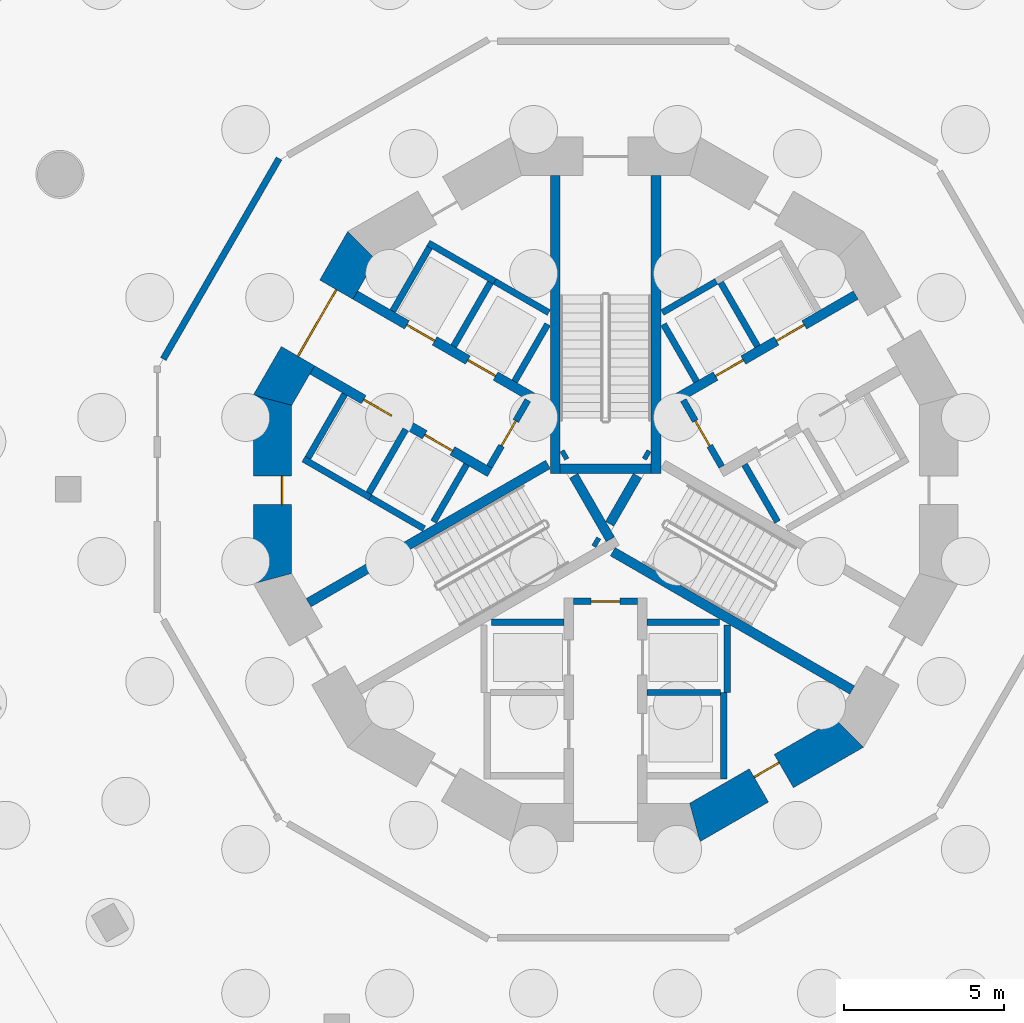
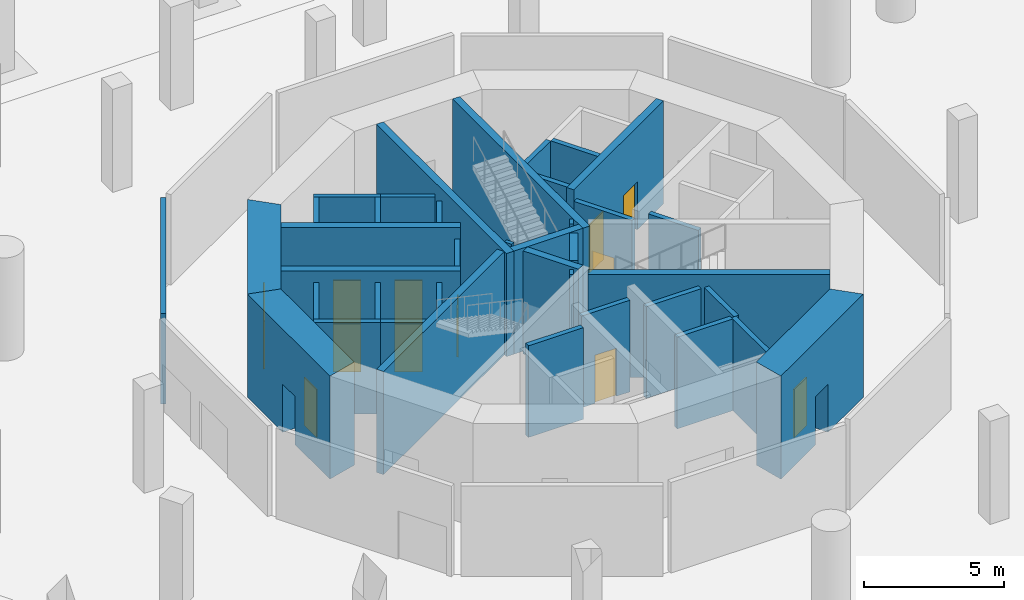
# One storey, part 8 of 23: 39 walls, 12 doors, 12 openings.
"""IFC4 building model written with IfcOpenShell, lengths in metres."""

from ifc_helpers import new_model, si_unit, direction, frame, frame_2d, origin, place, context, subcontext, project, spatial, polyline, rectangle, outline, extrude, material, layer, layer_set, type_object, element, fill, save


model = new_model("IFC4")

# Units and contexts
model_context = context("Model", 3, precision=1e-05, world=origin(), true_north=direction((0.0, 1.0)))
body_context = subcontext(model_context, "Body", "Model", "MODEL_VIEW")
ifc_project = project(units=[si_unit("LENGTHUNIT", "METRE"), si_unit("AREAUNIT", "SQUARE_METRE"), si_unit("VOLUMEUNIT", "CUBIC_METRE"), si_unit("PLANEANGLEUNIT", "RADIAN"), si_unit("MASSUNIT", "GRAM", prefix="KILO")], contexts=[model_context])

# Site, building, storey
site_placement = place(None, origin())
site = spatial("IfcSite", under=ifc_project, at=site_placement, CompositionType="ELEMENT")
building_placement = place(site_placement, origin())
building = spatial("IfcBuilding", under=site, at=building_placement, Name="Trine Commons Tower", CompositionType="ELEMENT")
storey_placement = place(building_placement, frame((0.0, 0.0, -9.0)))
storey = spatial("IfcBuildingStorey", under=building, at=storey_placement, Name="B2", CompositionType="ELEMENT", Elevation=-9.0)

# Wall
ifc_material_1 = material(Name="Plasterboard on steel stud", Category="steel")
ifc_layer_1 = layer(ifc_material_1, 0.199951171875)
ifc_layer_set_1 = layer_set([ifc_layer_1], Name="Plasterboard on steel stud")
wall_type_1 = type_object("IfcWallType", Name="Fire wall 200 mm, EI 120", PredefinedType="PARTITIONING", material=ifc_layer_set_1)
wall_1_placement = place(storey_placement, frame((66.175048828125, 66.57763671875, 0.0), z_axis=(0.0, 0.0, 1.0), x_axis=(0.499993116331, 0.866029378036, 0.0)))
element("IfcWall", 1, at=wall_1_placement, inside=storey, type_object=wall_type_1, Name="Partition B2016", PredefinedType="PARTITIONING", context=body_context, shape_type="SweptSolid", body=[
    extrude(rectangle(XDim=7.2353515625, YDim=0.199951171875, at=frame_2d((3.61767578125, 0.0))), origin(), (0.0, 0.0, 1.0), 3.949951171875),
])

# Wall, opening, door
ifc_material_2 = material(Name="Fire-rated gypsum shaft wall system")
ifc_layer_2 = layer(ifc_material_2, 0.199951171875)
ifc_layer_set_2 = layer_set([ifc_layer_2], Name="Fire-rated gypsum shaft wall system")
wall_type_2 = type_object("IfcWallType", Name="Lobby end wall 200 mm, EI 120", PredefinedType="PARTITIONING", material=ifc_layer_set_2)
wall_2_placement = place(storey_placement, frame((77.569091796875, 65.2890625, 0.0), z_axis=(0.0, 0.0, 1.0), x_axis=(-0.50012165622, -0.865955154139, 0.0)))
wall_2 = element("IfcWall", 2, at=wall_2_placement, inside=storey, type_object=wall_type_2, Name="Lobby end wall B2", PredefinedType="PARTITIONING", context=body_context, shape_type="SweptSolid", body=[
    extrude(rectangle(XDim=2.39990234375, YDim=0.199951171875, at=frame_2d((1.199951171875, 0.0))), origin(), (0.0, 0.0, 1.0), 4.0),
])
opening_1_placement = place(wall_2_placement, frame((0.749755859375, 0.0, 0.0)))
opening_1 = element("IfcOpeningElement", 3, at=opening_1_placement, cuts=wall_2, Name="Opening K01.07", PredefinedType="OPENING", context=body_context, shape_type="SweptSolid", body=[
    extrude(rectangle(XDim=0.89990234375, YDim=2.10009765625, at=frame_2d((0.449951171875, 1.050048828125))), frame((0.0, 0.10986328125, 0.0), z_axis=(0.0, -1.0, 0.0), x_axis=(1.0, 0.0, 0.0)), (0.0, 0.0, 1.0), 0.219970703125),
])
ifc_material_3 = material(Name="Steel door leaf, fire-rated", Category="steel")
door_type_1 = type_object("IfcDoorType", Name="Riser access door, single leaf 900 x 2100, FD60", OperationType="SINGLE_SWING_LEFT", PredefinedType="DOOR", material=ifc_material_3)
door_1_placement = place(opening_1_placement, frame((0.89990234375, 0.0, 0.0), z_axis=(0.0, 0.0, 1.0), x_axis=(-1.0, 0.0, 0.0)))
door_1 = element("IfcDoor", 4, at=door_1_placement, inside=storey, type_object=door_type_1, Name="Riser door, Mechanical riser B2", OperationType="SINGLE_SWING_RIGHT", OverallHeight=2.10009765625, OverallWidth=0.89990234375, PredefinedType="DOOR", context=body_context, shape_type="SweptSolid", body=[
    extrude(rectangle(XDim=0.89990234375, YDim=2.10009765625, at=frame_2d((0.449951171875, 1.050048828125))), frame((0.0, 0.02490234375, 0.0), z_axis=(0.0, -1.0, 0.0), x_axis=(1.0, 0.0, 0.0)), (0.0, 0.0, 1.0), 0.050048828125),
])
fill(opening_1, door_1)

wall_3_placement = place(storey_placement, frame((79.0, 59.0, 0.0), z_axis=(0.0, 0.0, 1.0), x_axis=(1.0, 0.0, 0.0)))
wall_3 = element("IfcWall", 5, at=wall_3_placement, inside=storey, type_object=wall_type_2, Name="Lobby end wall B2", PredefinedType="PARTITIONING", context=body_context, shape_type="SweptSolid", body=[
    extrude(rectangle(XDim=2.0, YDim=0.199951171875, at=frame_2d((1.0, 0.0))), origin(), (0.0, 0.0, 1.0), 4.0),
])
opening_2_placement = place(wall_3_placement, frame((0.550048828125, 0.0, 0.0)))
opening_2 = element("IfcOpeningElement", 6, at=opening_2_placement, cuts=wall_3, Name="Opening K01.09", PredefinedType="OPENING", context=body_context, shape_type="SweptSolid", body=[
    extrude(rectangle(XDim=0.89990234375, YDim=2.10009765625, at=frame_2d((0.449951171875, 1.050048828125))), frame((0.0, 0.10986328125, 0.0), z_axis=(0.0, -1.0, 0.0), x_axis=(1.0, 0.0, 0.0)), (0.0, 0.0, 1.0), 0.219970703125),
])
door_2_placement = place(opening_2_placement, frame((0.89990234375, 0.0, 0.0), z_axis=(0.0, 0.0, 1.0), x_axis=(-1.0, 0.0, 0.0)))
door_2 = element("IfcDoor", 7, at=door_2_placement, inside=storey, type_object=door_type_1, Name="Riser door, Communications riser B2", OperationType="SINGLE_SWING_RIGHT", OverallHeight=2.10009765625, OverallWidth=0.89990234375, PredefinedType="DOOR", context=body_context, shape_type="SweptSolid", body=[
    extrude(rectangle(XDim=0.89990234375, YDim=2.10009765625, at=frame_2d((0.449951171875, 1.050048828125))), frame((0.0, 0.02490234375, 0.0), z_axis=(0.0, -1.0, 0.0), x_axis=(1.0, 0.0, 0.0)), (0.0, 0.0, 1.0), 0.050048828125),
])
fill(opening_2, door_2)

wall_4_placement = place(storey_placement, frame((83.631103515625, 63.2109375, 0.0), z_axis=(0.0, 0.0, 1.0), x_axis=(-0.50012165622, 0.865955154139, 0.0)))
wall_4 = element("IfcWall", 8, at=wall_4_placement, inside=storey, type_object=wall_type_2, Name="Lobby end wall B2", PredefinedType="PARTITIONING", context=body_context, shape_type="SweptSolid", body=[
    extrude(rectangle(XDim=2.39990234375, YDim=0.199951171875, at=frame_2d((1.199951171875, 0.0))), origin(), (0.0, 0.0, 1.0), 4.0),
])
opening_3_placement = place(wall_4_placement, frame((0.749755859375, 0.0, 0.0)))
opening_3 = element("IfcOpeningElement", 9, at=opening_3_placement, cuts=wall_4, Name="Opening K01.05", PredefinedType="OPENING", context=body_context, shape_type="SweptSolid", body=[
    extrude(rectangle(XDim=0.89990234375, YDim=2.10009765625, at=frame_2d((0.449951171875, 1.050048828125))), frame((0.0, 0.10986328125, 0.0), z_axis=(0.0, -1.0, 0.0), x_axis=(1.0, 0.0, 0.0)), (0.0, 0.0, 1.0), 0.219970703125),
])
door_3_placement = place(opening_3_placement, frame((0.89990234375, 0.0, 0.0), z_axis=(0.0, 0.0, 1.0), x_axis=(-1.0, 0.0, 0.0)))
door_3 = element("IfcDoor", 10, at=door_3_placement, inside=storey, type_object=door_type_1, Name="Riser door, Electrical riser B2", OperationType="SINGLE_SWING_LEFT", OverallHeight=2.10009765625, OverallWidth=0.89990234375, PredefinedType="DOOR", context=body_context, shape_type="SweptSolid", body=[
    extrude(rectangle(XDim=0.89990234375, YDim=2.10009765625, at=frame_2d((0.449951171875, 1.050048828125))), frame((0.0, 0.02490234375, 0.0), z_axis=(0.0, -1.0, 0.0), x_axis=(1.0, 0.0, 0.0)), (0.0, 0.0, 1.0), 0.050048828125),
])
fill(opening_3, door_3)

ifc_material_4 = material(Name="Concrete C80/95", Category="concrete")
ifc_layer_3 = layer(ifc_material_4, 1.199951171875)
ifc_layer_set_3 = layer_set([ifc_layer_3], Name="Concrete C80/95")
wall_type_3 = type_object("IfcWallType", Name="RC shear wall 1200 mm, C80/95", PredefinedType="SHEAR", material=ifc_layer_set_3)
wall_5_placement = place(storey_placement, frame((72.45849609375, 70.260986328125, 0.0), z_axis=(0.0, 0.0, 1.0), x_axis=(-0.499979111662, -0.866037463336, 0.0)))
wall_5 = element("IfcWall", 11, at=wall_5_placement, inside=storey, type_object=wall_type_3, Name="Core wall CWA-06 B2", PredefinedType="SHEAR", context=body_context, shape_type="SweptSolid", body=[
    extrude(outline(polyline([(0.0, -0.60009765625), (5.901123046875, -0.60009765625), (5.57958984375, 0.60009765625), (0.321533203125, 0.60009765625), (0.0, -0.60009765625)])), origin(), (0.0, 0.0, 1.0), 4.5),
])
opening_4_placement = place(wall_5_placement, frame((1.75048828125, 0.0, 0.0)))
opening_4 = element("IfcOpeningElement", 12, at=opening_4_placement, cuts=wall_5, Name="Opening K01.06", PredefinedType="OPENING", context=body_context, shape_type="SweptSolid", body=[
    extrude(rectangle(XDim=2.39990234375, YDim=2.10009765625, at=frame_2d((1.199951171875, 1.050048828125))), frame((0.0, 0.60986328125, 0.0), z_axis=(0.0, -1.0, 0.0), x_axis=(1.0, 0.0, 0.0)), (0.0, 0.0, 1.0), 1.219970703125),
])
ifc_material_5 = material(Name="Steel door leaves, fire-rated", Category="steel")
door_type_2 = type_object("IfcDoorType", Name="Lobby door, double leaf 2400 x 2100, FD60", OperationType="DOUBLE_DOOR_SINGLE_SWING", PredefinedType="DOOR", material=ifc_material_5)
door_4_placement = place(opening_4_placement, origin())
door_4 = element("IfcDoor", 13, at=door_4_placement, inside=storey, type_object=door_type_2, Name="Lobby door, Passenger lift lobby B B2", OperationType="DOUBLE_DOOR_SINGLE_SWING", OverallHeight=2.10009765625, OverallWidth=2.39990234375, PredefinedType="DOOR", context=body_context, shape_type="SweptSolid", body=[
    extrude(rectangle(XDim=2.39990234375, YDim=2.10009765625, at=frame_2d((1.199951171875, 1.050048828125))), frame((0.0, 0.02490234375, 0.0), z_axis=(0.0, -1.0, 0.0), x_axis=(1.0, 0.0, 0.0)), (0.0, 0.0, 1.0), 0.050048828125),
])
fill(opening_4, door_4)

wall_6_placement = place(storey_placement, frame((69.58837890625, 65.450439453125, 0.0), z_axis=(0.0, 0.0, 1.0), x_axis=(0.0, -1.0, 0.0)))
wall_6 = element("IfcWall", 14, at=wall_6_placement, inside=storey, type_object=wall_type_3, Name="Core wall CWA-07 B2", PredefinedType="SHEAR", context=body_context, shape_type="SweptSolid", body=[
    extrude(outline(polyline([(0.0, -0.60009765625), (5.90087890625, -0.60009765625), (5.57958984375, 0.60009765625), (0.321533203125, 0.60009765625), (0.0, -0.60009765625)])), origin(), (0.0, 0.0, 1.0), 4.5),
])
opening_5_placement = place(wall_6_placement, frame((2.525390625, 0.0, 0.0)))
opening_5 = element("IfcOpeningElement", 15, at=opening_5_placement, cuts=wall_6, Name="Opening K01.13", PredefinedType="OPENING", context=body_context, shape_type="SweptSolid", body=[
    extrude(rectangle(XDim=0.89990234375, YDim=2.10009765625, at=frame_2d((0.449951171875, 1.050048828125))), frame((0.0, 0.60986328125, 0.0), z_axis=(0.0, -1.0, 0.0), x_axis=(1.0, 0.0, 0.0)), (0.0, 0.0, 1.0), 1.219970703125),
])
door_type_3 = type_object("IfcDoorType", Name="Core room door, single leaf 900 x 2100, FD30S", OperationType="SINGLE_SWING_LEFT", PredefinedType="DOOR", material=ifc_material_3)
door_5_placement = place(opening_5_placement, origin())
door_5 = element("IfcDoor", 16, at=door_5_placement, inside=storey, type_object=door_type_3, Name="Door to Store B2", OperationType="SINGLE_SWING_RIGHT", OverallHeight=2.10009765625, OverallWidth=0.89990234375, PredefinedType="DOOR", context=body_context, shape_type="SweptSolid", body=[
    extrude(rectangle(XDim=0.89990234375, YDim=2.10009765625, at=frame_2d((0.449951171875, 1.050048828125))), frame((0.0, 0.3251953125, 0.0), z_axis=(0.0, -1.0, 0.0), x_axis=(1.0, 0.0, 0.0)), (0.0, 0.0, 1.0), 0.050048828125),
])
fill(opening_5, door_5)

wall_7_placement = place(storey_placement, frame((82.650390625, 52.008056640625, 0.0), z_axis=(0.0, 0.0, 1.0), x_axis=(0.866037463336, 0.499979111662, 0.0)))
wall_7 = element("IfcWall", 17, at=wall_7_placement, inside=storey, type_object=wall_type_3, Name="Core wall CWA-11 B2", PredefinedType="SHEAR", context=body_context, shape_type="SweptSolid", body=[
    extrude(outline(polyline([(0.0, -0.60009765625), (5.901123046875, -0.60009765625), (5.57958984375, 0.60009765625), (0.321533203125, 0.60009765625), (0.0, -0.60009765625)])), origin(), (0.0, 0.0, 1.0), 4.5),
])
opening_6_placement = place(wall_7_placement, frame((2.474853515625, 0.0, 0.0)))
opening_6 = element("IfcOpeningElement", 18, at=opening_6_placement, cuts=wall_7, Name="Opening K01.15", PredefinedType="OPENING", context=body_context, shape_type="SweptSolid", body=[
    extrude(rectangle(XDim=0.89990234375, YDim=2.10009765625, at=frame_2d((0.449951171875, 1.050048828125))), frame((0.0, 0.60986328125, 0.0), z_axis=(0.0, -1.0, 0.0), x_axis=(1.0, 0.0, 0.0)), (0.0, 0.0, 1.0), 1.219970703125),
])
door_6_placement = place(opening_6_placement, origin())
door_6 = element("IfcDoor", 19, at=door_6_placement, inside=storey, type_object=door_type_3, Name="Door to Store B2", OperationType="SINGLE_SWING_LEFT", OverallHeight=2.10009765625, OverallWidth=0.89990234375, PredefinedType="DOOR", context=body_context, shape_type="SweptSolid", body=[
    extrude(rectangle(XDim=0.89990234375, YDim=2.10009765625, at=frame_2d((0.449951171875, 1.050048828125))), frame((0.0, 0.3251953125, 0.0), z_axis=(0.0, -1.0, 0.0), x_axis=(1.0, 0.0, 0.0)), (0.0, 0.0, 1.0), 0.050048828125),
])
fill(opening_6, door_6)

# Wall, openings, doors
ifc_layer_4 = layer(ifc_material_4, 0.300048828125)
ifc_layer_set_4 = layer_set([ifc_layer_4], Name="Concrete C80/95")
wall_type_4 = type_object("IfcWallType", Name="RC shear wall 300 mm, C80/95", PredefinedType="SHEAR", material=ifc_layer_set_4)
wall_8_placement = place(storey_placement, frame((76.381103515625, 63.031005859375, 0.0), z_axis=(0.0, 0.0, 1.0), x_axis=(-0.866032150378, 0.499988314375, 0.0)))
wall_8 = element("IfcWall", 20, at=wall_8_placement, inside=storey, type_object=wall_type_4, Name="Core wall SWA-01 B2", PredefinedType="SHEAR", context=body_context, shape_type="SweptSolid", body=[
    extrude(rectangle(XDim=6.412353515625, YDim=0.300048828125, at=frame_2d((3.2060546875, 0.0))), origin(), (0.0, 0.0, 1.0), 4.5),
])
opening_7_placement = place(wall_8_placement, frame((3.55029296875, 0.0, 0.0)))
opening_7 = element("IfcOpeningElement", 21, at=opening_7_placement, cuts=wall_8, Name="Opening LD3", PredefinedType="OPENING", context=body_context, shape_type="SweptSolid", body=[
    extrude(rectangle(XDim=1.0, YDim=2.10009765625, at=frame_2d((0.5, 1.050048828125))), frame((0.0, 0.159912109375, 0.0), z_axis=(0.0, -1.0, 0.0), x_axis=(1.0, 0.0, 0.0)), (0.0, 0.0, 1.0), 0.320068359375),
])
opening_8_placement = place(wall_8_placement, frame((1.350341796875, 0.0, 0.0)))
opening_8 = element("IfcOpeningElement", 22, at=opening_8_placement, cuts=wall_8, Name="Opening LD7", PredefinedType="OPENING", context=body_context, shape_type="SweptSolid", body=[
    extrude(rectangle(XDim=1.0, YDim=2.10009765625, at=frame_2d((0.5, 1.050048828125))), frame((0.0, 0.159912109375, 0.0), z_axis=(0.0, -1.0, 0.0), x_axis=(1.0, 0.0, 0.0)), (0.0, 0.0, 1.0), 0.320068359375),
])
ifc_material_6 = material(Name="Stainless steel sliding door leaves", Category="steel")
door_type_4 = type_object("IfcDoorType", Name="Lift landing door, centre-opening sliding 1000 x 2100, FD90", OperationType="DOUBLE_DOOR_SLIDING", PredefinedType="DOOR", material=ifc_material_6)
door_7_placement = place(opening_7_placement, origin())
door_7 = element("IfcDoor", 23, at=door_7_placement, inside=storey, type_object=door_type_4, Name="Lift landing door LR3 B2", OperationType="DOUBLE_DOOR_SLIDING", OverallHeight=2.10009765625, OverallWidth=1.0, PredefinedType="DOOR", context=body_context, shape_type="SweptSolid", body=[
    extrude(rectangle(XDim=1.0, YDim=2.10009765625, at=frame_2d((0.5, 1.050048828125))), frame((0.0, 0.02490234375, 0.0), z_axis=(0.0, -1.0, 0.0), x_axis=(1.0, 0.0, 0.0)), (0.0, 0.0, 1.0), 0.050048828125),
])
fill(opening_7, door_7)
door_8_placement = place(opening_8_placement, origin())
door_8 = element("IfcDoor", 24, at=door_8_placement, inside=storey, type_object=door_type_4, Name="Lift landing door HR3 B2", OperationType="DOUBLE_DOOR_SLIDING", OverallHeight=2.10009765625, OverallWidth=1.0, PredefinedType="DOOR", context=body_context, shape_type="SweptSolid", body=[
    extrude(rectangle(XDim=1.0, YDim=2.10009765625, at=frame_2d((0.5, 1.050048828125))), frame((0.0, 0.02490234375, 0.0), z_axis=(0.0, -1.0, 0.0), x_axis=(1.0, 0.0, 0.0)), (0.0, 0.0, 1.0), 0.050048828125),
])
fill(opening_8, door_8)

wall_9_placement = place(storey_placement, frame((77.73095703125, 65.368896484375, 0.0), z_axis=(0.0, 0.0, 1.0), x_axis=(-0.866022631842, 0.500004801114, 0.0)))
wall_9 = element("IfcWall", 25, at=wall_9_placement, inside=storey, type_object=wall_type_4, Name="Core wall SWA-02 B2", PredefinedType="SHEAR", context=body_context, shape_type="SweptSolid", body=[
    extrude(rectangle(XDim=6.412109375, YDim=0.300048828125, at=frame_2d((3.2060546875, 0.0))), origin(), (0.0, 0.0, 1.0), 4.5),
])
opening_9_placement = place(wall_9_placement, frame((3.55029296875, 0.0, 0.0)))
opening_9 = element("IfcOpeningElement", 26, at=opening_9_placement, cuts=wall_9, Name="Opening LD4", PredefinedType="OPENING", context=body_context, shape_type="SweptSolid", body=[
    extrude(rectangle(XDim=1.0, YDim=2.10009765625, at=frame_2d((0.5, 1.050048828125))), frame((0.0, 0.159912109375, 0.0), z_axis=(0.0, -1.0, 0.0), x_axis=(1.0, 0.0, 0.0)), (0.0, 0.0, 1.0), 0.320068359375),
])
opening_10_placement = place(wall_9_placement, frame((1.3505859375, 0.0, 0.0)))
opening_10 = element("IfcOpeningElement", 27, at=opening_10_placement, cuts=wall_9, Name="Opening LD8", PredefinedType="OPENING", context=body_context, shape_type="SweptSolid", body=[
    extrude(rectangle(XDim=1.0, YDim=2.10009765625, at=frame_2d((0.5, 1.050048828125))), frame((0.0, 0.159912109375, 0.0), z_axis=(0.0, -1.0, 0.0), x_axis=(1.0, 0.0, 0.0)), (0.0, 0.0, 1.0), 0.320068359375),
])
door_9_placement = place(opening_9_placement, origin())
door_9 = element("IfcDoor", 28, at=door_9_placement, inside=storey, type_object=door_type_4, Name="Lift landing door LR4 B2", OperationType="DOUBLE_DOOR_SLIDING", OverallHeight=2.10009765625, OverallWidth=1.0, PredefinedType="DOOR", context=body_context, shape_type="SweptSolid", body=[
    extrude(rectangle(XDim=1.0, YDim=2.10009765625, at=frame_2d((0.5, 1.050048828125))), frame((0.0, 0.02490234375, 0.0), z_axis=(0.0, -1.0, 0.0), x_axis=(1.0, 0.0, 0.0)), (0.0, 0.0, 1.0), 0.050048828125),
])
fill(opening_9, door_9)
door_10_placement = place(opening_10_placement, origin())
door_10 = element("IfcDoor", 29, at=door_10_placement, inside=storey, type_object=door_type_4, Name="Lift landing door HR4 B2", OperationType="DOUBLE_DOOR_SLIDING", OverallHeight=2.10009765625, OverallWidth=1.0, PredefinedType="DOOR", context=body_context, shape_type="SweptSolid", body=[
    extrude(rectangle(XDim=1.0, YDim=2.10009765625, at=frame_2d((0.5, 1.050048828125))), frame((0.0, 0.02490234375, 0.0), z_axis=(0.0, -1.0, 0.0), x_axis=(1.0, 0.0, 0.0)), (0.0, 0.0, 1.0), 0.050048828125),
])
fill(opening_10, door_10)

wall_10_placement = place(storey_placement, frame((82.26904296875, 65.368896484375, 0.0), z_axis=(0.0, 0.0, 1.0), x_axis=(0.866022631842, 0.500004801114, 0.0)))
wall_10 = element("IfcWall", 30, at=wall_10_placement, inside=storey, type_object=wall_type_4, Name="Core wall SWA-05 B2", PredefinedType="SHEAR", context=body_context, shape_type="SweptSolid", body=[
    extrude(rectangle(XDim=6.412109375, YDim=0.300048828125, at=frame_2d((3.2060546875, 0.0))), origin(), (0.0, 0.0, 1.0), 4.5),
])
opening_11_placement = place(wall_10_placement, frame((3.55029296875, 0.0, 0.0)))
opening_11 = element("IfcOpeningElement", 31, at=opening_11_placement, cuts=wall_10, Name="Opening LD1", PredefinedType="OPENING", context=body_context, shape_type="SweptSolid", body=[
    extrude(rectangle(XDim=1.0, YDim=2.10009765625, at=frame_2d((0.5, 1.050048828125))), frame((0.0, 0.159912109375, 0.0), z_axis=(0.0, -1.0, 0.0), x_axis=(1.0, 0.0, 0.0)), (0.0, 0.0, 1.0), 0.320068359375),
])
opening_12_placement = place(wall_10_placement, frame((1.3505859375, 0.0, 0.0)))
opening_12 = element("IfcOpeningElement", 32, at=opening_12_placement, cuts=wall_10, Name="Opening LD5", PredefinedType="OPENING", context=body_context, shape_type="SweptSolid", body=[
    extrude(rectangle(XDim=1.0, YDim=2.10009765625, at=frame_2d((0.5, 1.050048828125))), frame((0.0, 0.159912109375, 0.0), z_axis=(0.0, -1.0, 0.0), x_axis=(1.0, 0.0, 0.0)), (0.0, 0.0, 1.0), 0.320068359375),
])
door_11_placement = place(opening_11_placement, origin())
door_11 = element("IfcDoor", 33, at=door_11_placement, inside=storey, type_object=door_type_4, Name="Lift landing door LR1 B2", OperationType="DOUBLE_DOOR_SLIDING", OverallHeight=2.10009765625, OverallWidth=1.0, PredefinedType="DOOR", context=body_context, shape_type="SweptSolid", body=[
    extrude(rectangle(XDim=1.0, YDim=2.10009765625, at=frame_2d((0.5, 1.050048828125))), frame((0.0, 0.02490234375, 0.0), z_axis=(0.0, -1.0, 0.0), x_axis=(1.0, 0.0, 0.0)), (0.0, 0.0, 1.0), 0.050048828125),
])
fill(opening_11, door_11)
door_12_placement = place(opening_12_placement, origin())
door_12 = element("IfcDoor", 34, at=door_12_placement, inside=storey, type_object=door_type_4, Name="Lift landing door HR1 B2", OperationType="DOUBLE_DOOR_SLIDING", OverallHeight=2.10009765625, OverallWidth=1.0, PredefinedType="DOOR", context=body_context, shape_type="SweptSolid", body=[
    extrude(rectangle(XDim=1.0, YDim=2.10009765625, at=frame_2d((0.5, 1.050048828125))), frame((0.0, 0.02490234375, 0.0), z_axis=(0.0, -1.0, 0.0), x_axis=(1.0, 0.0, 0.0)), (0.0, 0.0, 1.0), 0.050048828125),
])
fill(opening_12, door_12)

# Walls
wall_11_placement = place(storey_placement, frame((78.199951171875, 63.280029296875, 0.0), z_axis=(0.0, 0.0, 1.0), x_axis=(-0.865965399159, -0.500103916661, 0.0)))
element("IfcWall", 35, at=wall_11_placement, inside=storey, type_object=wall_type_4, Name="Core wall SWA-07 B2", PredefinedType="SHEAR", context=body_context, shape_type="SweptSolid", body=[
    extrude(rectangle(XDim=8.642333984375, YDim=0.300048828125, at=frame_2d((4.3212890625, 0.0))), origin(), (0.0, 0.0, 1.0), 4.5),
])
wall_12_placement = place(storey_placement, frame((78.425048828125, 63.0009765625, 0.0), z_axis=(0.0, 0.0, 1.0), x_axis=(0.0, 1.0, 0.0)))
element("IfcWall", 36, at=wall_12_placement, inside=storey, type_object=wall_type_4, Name="Core wall SWA-08 B2", PredefinedType="SHEAR", context=body_context, shape_type="SweptSolid", body=[
    extrude(rectangle(XDim=9.31103515625, YDim=0.300048828125, at=frame_2d((4.655517578125, 0.0))), origin(), (0.0, 0.0, 1.0), 4.5),
])
wall_13_placement = place(storey_placement, frame((78.779052734375, 63.614013671875, 0.0), z_axis=(0.0, 0.0, 1.0), x_axis=(-0.867737973955, -0.497021939713, 0.0)))
element("IfcWall", 37, at=wall_13_placement, inside=storey, type_object=wall_type_4, Name="Core wall SWA-09 B2", PredefinedType="SHEAR", context=body_context, shape_type="SweptSolid", body=[
    extrude(rectangle(XDim=0.14892578125, YDim=0.300048828125, at=frame_2d((0.074462890625, 0.0))), origin(), (0.0, 0.0, 1.0), 4.5),
])
wall_14_placement = place(storey_placement, frame((79.0029296875, 62.926025390625, 0.0), z_axis=(0.0, 0.0, 1.0), x_axis=(0.499965247104, -0.866045467449, 0.0)))
element("IfcWall", 38, at=wall_14_placement, inside=storey, type_object=wall_type_4, Name="Core wall SWA-10 B2", PredefinedType="SHEAR", context=body_context, shape_type="SweptSolid", body=[
    extrude(rectangle(XDim=2.292236328125, YDim=0.300048828125, at=frame_2d((1.14599609375, 0.0))), origin(), (0.0, 0.0, 1.0), 4.5),
])
wall_15_placement = place(storey_placement, frame((79.64599609375, 60.885986328125, 0.0), z_axis=(0.0, 0.0, 1.0), x_axis=(0.867331893649, -0.497730234424, 0.0)))
element("IfcWall", 39, at=wall_15_placement, inside=storey, type_object=wall_type_4, Name="Core wall SWA-11 B2", PredefinedType="SHEAR", context=body_context, shape_type="SweptSolid", body=[
    extrude(rectangle(XDim=0.148681640625, YDim=0.300048828125, at=frame_2d((0.07421875, 0.0))), origin(), (0.0, 0.0, 1.0), 4.5),
])
wall_16_placement = place(storey_placement, frame((80.1298828125, 61.424072265625, 0.0), z_axis=(0.0, 0.0, 1.0), x_axis=(0.500014901547, 0.866016800201, 0.0)))
element("IfcWall", 40, at=wall_16_placement, inside=storey, type_object=wall_type_4, Name="Core wall SWA-12 B2", PredefinedType="SHEAR", context=body_context, shape_type="SweptSolid", body=[
    extrude(rectangle(XDim=1.734375, YDim=0.300048828125, at=frame_2d((0.8671875, 0.0))), origin(), (0.0, 0.0, 1.0), 4.5),
])
wall_17_placement = place(storey_placement, frame((80.22509765625, 60.552001953125, 0.0), z_axis=(0.0, 0.0, 1.0), x_axis=(0.865965399159, -0.500103916661, 0.0)))
element("IfcWall", 41, at=wall_17_placement, inside=storey, type_object=wall_type_4, Name="Core wall SWA-13 B2", PredefinedType="SHEAR", context=body_context, shape_type="SweptSolid", body=[
    extrude(rectangle(XDim=8.642333984375, YDim=0.300048828125, at=frame_2d((4.3212890625, 0.0))), origin(), (0.0, 0.0, 1.0), 4.5),
])
wall_18_placement = place(storey_placement, frame((81.220947265625, 63.614013671875, 0.0), z_axis=(0.0, 0.0, 1.0), x_axis=(0.867737973955, -0.497021939713, 0.0)))
element("IfcWall", 42, at=wall_18_placement, inside=storey, type_object=wall_type_4, Name="Core wall SWA-15 B2", PredefinedType="SHEAR", context=body_context, shape_type="SweptSolid", body=[
    extrude(rectangle(XDim=0.14892578125, YDim=0.300048828125, at=frame_2d((0.074462890625, 0.0))), origin(), (0.0, 0.0, 1.0), 4.5),
])
wall_19_placement = place(storey_placement, frame((81.425048828125, 63.15087890625, 0.0), z_axis=(0.0, 0.0, 1.0), x_axis=(-1.0, 0.0, 0.0)))
element("IfcWall", 43, at=wall_19_placement, inside=storey, type_object=wall_type_4, Name="Core wall SWA-16 B2", PredefinedType="SHEAR", context=body_context, shape_type="SweptSolid", body=[
    extrude(rectangle(XDim=2.85009765625, YDim=0.300048828125, at=frame_2d((1.425048828125, 0.0))), origin(), (0.0, 0.0, 1.0), 4.5),
])
wall_20_placement = place(storey_placement, frame((81.574951171875, 63.0009765625, 0.0), z_axis=(0.0, 0.0, 1.0), x_axis=(0.0, 1.0, 0.0)))
element("IfcWall", 44, at=wall_20_placement, inside=storey, type_object=wall_type_4, Name="Core wall SWA-17 B2", PredefinedType="SHEAR", context=body_context, shape_type="SweptSolid", body=[
    extrude(rectangle(XDim=9.31103515625, YDim=0.300048828125, at=frame_2d((4.655517578125, 0.0))), origin(), (0.0, 0.0, 1.0), 4.5),
])
ifc_layer_5 = layer(ifc_material_2, 0.199951171875)
ifc_layer_set_5 = layer_set([ifc_layer_5], Name="Fire-rated gypsum shaft wall system")
wall_type_5 = type_object("IfcWallType", Name="Shaft wall 200 mm, EI 120", PredefinedType="PARTITIONING", material=ifc_layer_set_5)
wall_21_placement = place(storey_placement, frame((71.844970703125, 65.47607421875, 0.0), z_axis=(0.0, 0.0, 1.0), x_axis=(-0.500136062276, -0.86594683394, 0.0)))
element("IfcWall", 45, at=wall_21_placement, inside=storey, type_object=wall_type_5, Name="Shaft wall B2", PredefinedType="PARTITIONING", context=body_context, shape_type="SweptSolid", body=[
    extrude(rectangle(XDim=2.299072265625, YDim=0.199951171875, at=frame_2d((1.1494140625, 0.0))), origin(), (0.0, 0.0, 1.0), 4.0),
])
wall_22_placement = place(storey_placement, frame((72.637939453125, 62.248046875, 0.0), z_axis=(0.0, 0.0, 1.0), x_axis=(-0.866177122335, 0.499737123639, 0.0)))
element("IfcWall", 46, at=wall_22_placement, inside=storey, type_object=wall_type_5, Name="Shaft wall B2", PredefinedType="PARTITIONING", context=body_context, shape_type="SweptSolid", body=[
    extrude(rectangle(XDim=2.401123046875, YDim=0.199951171875, at=frame_2d((1.20068359375, 0.0))), origin(), (0.0, 0.0, 1.0), 4.0),
])
wall_23_placement = place(storey_placement, frame((73.344970703125, 68.073974609375, 0.0), z_axis=(0.0, 0.0, 1.0), x_axis=(0.500215680983, 0.865900844496, 0.0)))
element("IfcWall", 47, at=wall_23_placement, inside=storey, type_object=wall_type_5, Name="Shaft wall B2", PredefinedType="PARTITIONING", context=body_context, shape_type="SweptSolid", body=[
    extrude(rectangle(XDim=2.29931640625, YDim=0.199951171875, at=frame_2d((1.149658203125, 0.0))), origin(), (0.0, 0.0, 1.0), 4.0),
])
wall_24_placement = place(storey_placement, frame((73.7509765625, 64.3759765625, 0.0), z_axis=(0.0, 0.0, 1.0), x_axis=(-0.500136062276, -0.86594683394, 0.0)))
element("IfcWall", 48, at=wall_24_placement, inside=storey, type_object=wall_type_5, Name="Shaft wall B2", PredefinedType="PARTITIONING", context=body_context, shape_type="SweptSolid", body=[
    extrude(rectangle(XDim=2.299072265625, YDim=0.199951171875, at=frame_2d((1.1494140625, 0.0))), origin(), (0.0, 0.0, 1.0), 4.0),
])
wall_25_placement = place(storey_placement, frame((74.324951171875, 61.27294921875, 0.0), z_axis=(0.0, 0.0, 1.0), x_axis=(-0.865780634835, 0.500423712812, 0.0)))
element("IfcWall", 49, at=wall_25_placement, inside=storey, type_object=wall_type_5, Name="Shaft wall B2", PredefinedType="PARTITIONING", context=body_context, shape_type="SweptSolid", body=[
    extrude(rectangle(XDim=1.948486328125, YDim=0.199951171875, at=frame_2d((0.97412109375, 0.0))), origin(), (0.0, 0.0, 1.0), 4.0),
])
wall_26_placement = place(storey_placement, frame((75.2509765625, 66.97412109375, 0.0), z_axis=(0.0, 0.0, 1.0), x_axis=(0.500136062276, 0.86594683394, 0.0)))
element("IfcWall", 50, at=wall_26_placement, inside=storey, type_object=wall_type_5, Name="Shaft wall B2", PredefinedType="PARTITIONING", context=body_context, shape_type="SweptSolid", body=[
    extrude(rectangle(XDim=2.299072265625, YDim=0.199951171875, at=frame_2d((1.1494140625, 0.0))), origin(), (0.0, 0.0, 1.0), 4.0),
])
wall_27_placement = place(storey_placement, frame((75.656005859375, 63.27587890625, 0.0), z_axis=(0.0, 0.0, 1.0), x_axis=(-0.500271688072, -0.86586848777, 0.0)))
element("IfcWall", 51, at=wall_27_placement, inside=storey, type_object=wall_type_5, Name="Shaft wall B2", PredefinedType="PARTITIONING", context=body_context, shape_type="SweptSolid", body=[
    extrude(rectangle(XDim=2.064697265625, YDim=0.199951171875, at=frame_2d((1.0322265625, 0.0))), origin(), (0.0, 0.0, 1.0), 4.0),
])
wall_28_placement = place(storey_placement, frame((76.5380859375, 69.001953125, 0.0), z_axis=(0.0, 0.0, 1.0), x_axis=(-0.866202511239, 0.499693115345, 0.0)))
element("IfcWall", 52, at=wall_28_placement, inside=storey, type_object=wall_type_5, Name="Shaft wall B2", PredefinedType="PARTITIONING", context=body_context, shape_type="SweptSolid", body=[
    extrude(rectangle(XDim=2.4013671875, YDim=0.199951171875, at=frame_2d((1.20068359375, 0.0))), origin(), (0.0, 0.0, 1.0), 4.0),
])
wall_29_placement = place(storey_placement, frame((77.156005859375, 65.8740234375, 0.0), z_axis=(0.0, 0.0, 1.0), x_axis=(0.499865770674, 0.866102887253, 0.0)))
element("IfcWall", 53, at=wall_29_placement, inside=storey, type_object=wall_type_5, Name="Shaft wall B2", PredefinedType="PARTITIONING", context=body_context, shape_type="SweptSolid", body=[
    extrude(rectangle(XDim=2.064453125, YDim=0.199951171875, at=frame_2d((1.0322265625, 0.0))), origin(), (0.0, 0.0, 1.0), 4.0),
])
wall_30_placement = place(storey_placement, frame((78.22509765625, 68.028076171875, 0.0), z_axis=(0.0, 0.0, 1.0), x_axis=(-0.866052014814, 0.499953905513, 0.0)))
element("IfcWall", 54, at=wall_30_placement, inside=storey, type_object=wall_type_5, Name="Shaft wall B2", PredefinedType="PARTITIONING", context=body_context, shape_type="SweptSolid", body=[
    extrude(rectangle(XDim=1.947998046875, YDim=0.199951171875, at=frame_2d((0.97412109375, 0.0))), origin(), (0.0, 0.0, 1.0), 4.0),
])
wall_31_placement = place(storey_placement, frame((78.699951171875, 58.35009765625, 0.0), z_axis=(0.0, 0.0, 1.0), x_axis=(-1.0, 0.0, 0.0)))
element("IfcWall", 55, at=wall_31_placement, inside=storey, type_object=wall_type_5, Name="Shaft wall B2", PredefinedType="PARTITIONING", context=body_context, shape_type="SweptSolid", body=[
    extrude(rectangle(XDim=2.264892578125, YDim=0.199951171875, at=frame_2d((1.13232421875, 0.0))), origin(), (0.0, 0.0, 1.0), 4.0),
])
wall_32_placement = place(storey_placement, frame((81.300048828125, 56.14990234375, 0.0), z_axis=(0.0, 0.0, 1.0), x_axis=(1.0, 0.0, 0.0)))
element("IfcWall", 56, at=wall_32_placement, inside=storey, type_object=wall_type_5, Name="Shaft wall B2", PredefinedType="PARTITIONING", context=body_context, shape_type="SweptSolid", body=[
    extrude(rectangle(XDim=2.300048828125, YDim=0.199951171875, at=frame_2d((1.14990234375, 0.0))), origin(), (0.0, 0.0, 1.0), 4.0),
])
wall_33_placement = place(storey_placement, frame((81.300048828125, 58.35009765625, 0.0), z_axis=(0.0, 0.0, 1.0), x_axis=(1.0, 0.0, 0.0)))
element("IfcWall", 57, at=wall_33_placement, inside=storey, type_object=wall_type_5, Name="Shaft wall B2", PredefinedType="PARTITIONING", context=body_context, shape_type="SweptSolid", body=[
    extrude(rectangle(XDim=2.264892578125, YDim=0.199951171875, at=frame_2d((1.13232421875, 0.0))), origin(), (0.0, 0.0, 1.0), 4.0),
])
wall_34_placement = place(storey_placement, frame((81.77490234375, 68.028076171875, 0.0), z_axis=(0.0, 0.0, 1.0), x_axis=(0.866052014814, 0.499953905513, 0.0)))
element("IfcWall", 58, at=wall_34_placement, inside=storey, type_object=wall_type_5, Name="Shaft wall B2", PredefinedType="PARTITIONING", context=body_context, shape_type="SweptSolid", body=[
    extrude(rectangle(XDim=1.947998046875, YDim=0.199951171875, at=frame_2d((0.97412109375, 0.0))), origin(), (0.0, 0.0, 1.0), 4.0),
])
wall_35_placement = place(storey_placement, frame((82.843994140625, 65.8740234375, 0.0), z_axis=(0.0, 0.0, 1.0), x_axis=(-0.499865770674, 0.866102887253, 0.0)))
element("IfcWall", 59, at=wall_35_placement, inside=storey, type_object=wall_type_5, Name="Shaft wall B2", PredefinedType="PARTITIONING", context=body_context, shape_type="SweptSolid", body=[
    extrude(rectangle(XDim=2.064453125, YDim=0.199951171875, at=frame_2d((1.0322265625, 0.0))), origin(), (0.0, 0.0, 1.0), 4.0),
])
wall_36_placement = place(storey_placement, frame((83.699951171875, 56.14990234375, 0.0), z_axis=(0.0, 0.0, 1.0), x_axis=(0.0, -1.0, 0.0)))
element("IfcWall", 60, at=wall_36_placement, inside=storey, type_object=wall_type_5, Name="Shaft wall B2", PredefinedType="PARTITIONING", context=body_context, shape_type="SweptSolid", body=[
    extrude(rectangle(XDim=2.699951171875, YDim=0.199951171875, at=frame_2d((1.35009765625, 0.0))), origin(), (0.0, 0.0, 1.0), 4.0),
])
wall_37_placement = place(storey_placement, frame((83.800048828125, 58.256103515625, 0.0), z_axis=(0.0, 0.0, 1.0), x_axis=(0.0, -1.0, 0.0)))
element("IfcWall", 61, at=wall_37_placement, inside=storey, type_object=wall_type_5, Name="Shaft wall B2", PredefinedType="PARTITIONING", context=body_context, shape_type="SweptSolid", body=[
    extrude(rectangle(XDim=2.106201171875, YDim=0.199951171875, at=frame_2d((1.05322265625, 0.0))), origin(), (0.0, 0.0, 1.0), 4.0),
])
wall_38_placement = place(storey_placement, frame((84.343994140625, 63.27587890625, 0.0), z_axis=(0.0, 0.0, 1.0), x_axis=(0.500271688072, -0.86586848777, 0.0)))
element("IfcWall", 62, at=wall_38_placement, inside=storey, type_object=wall_type_5, Name="Shaft wall B2", PredefinedType="PARTITIONING", context=body_context, shape_type="SweptSolid", body=[
    extrude(rectangle(XDim=2.064697265625, YDim=0.199951171875, at=frame_2d((1.0322265625, 0.0))), origin(), (0.0, 0.0, 1.0), 4.0),
])
wall_39_placement = place(storey_placement, frame((84.7490234375, 66.97412109375, 0.0), z_axis=(0.0, 0.0, 1.0), x_axis=(-0.500136062276, 0.86594683394, 0.0)))
element("IfcWall", 63, at=wall_39_placement, inside=storey, type_object=wall_type_5, Name="Shaft wall B2", PredefinedType="PARTITIONING", context=body_context, shape_type="SweptSolid", body=[
    extrude(rectangle(XDim=2.299072265625, YDim=0.199951171875, at=frame_2d((1.1494140625, 0.0))), origin(), (0.0, 0.0, 1.0), 4.0),
])

save(model, "model.ifc")
